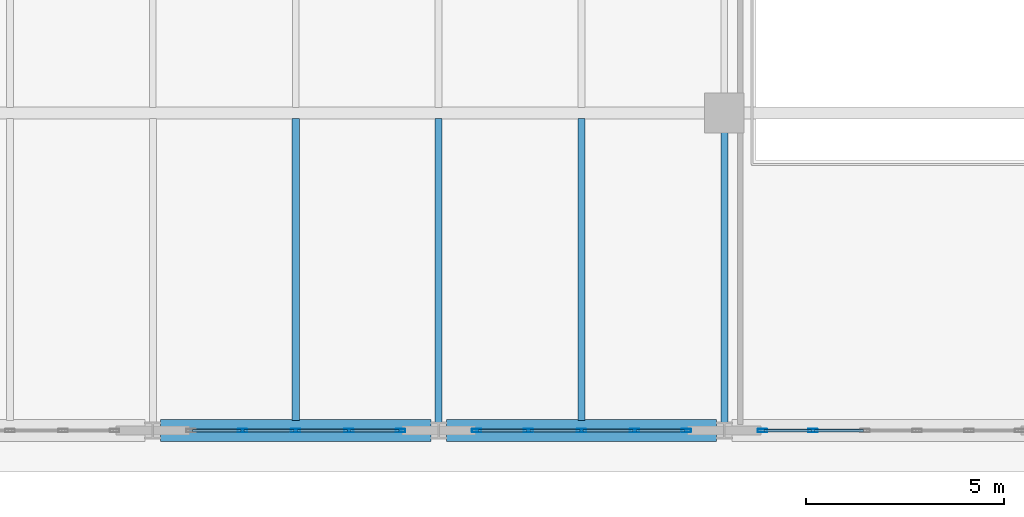
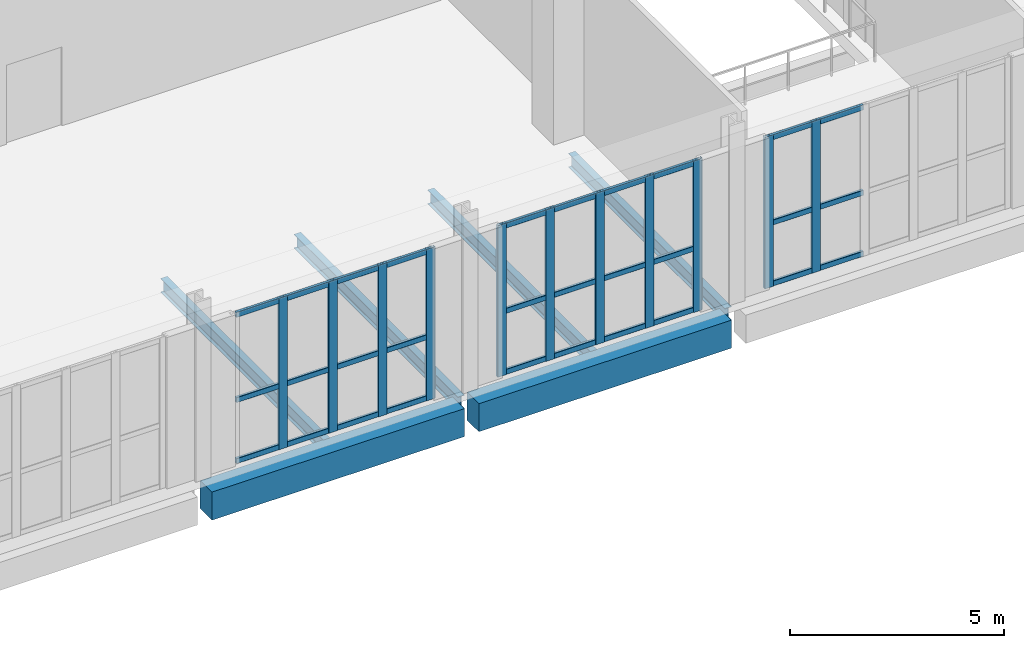
# One storey, part 4 of 26: 41 members, 6 beams, 3 elements without a shape of their own.
"""IFC4 building model written with IfcOpenShell, lengths in metres."""

from ifc_helpers import new_model, si_unit, direction, frame, origin, origin_2d, place, context, subcontext, project, spatial, rectangle, hollow_rectangle, i_section, extrude, material, layer, layer_set, material_profile, profile_set, type_object, element, aggregate, save


model = new_model("IFC4")

# Units and contexts
model_context = context("Model", 3, precision=1e-05, world=origin(), true_north=direction((0.0, 1.0)))
body_context = subcontext(model_context, "Body", "Model", "MODEL_VIEW")
ifc_project = project(units=[si_unit("LENGTHUNIT", "METRE"), si_unit("AREAUNIT", "SQUARE_METRE"), si_unit("VOLUMEUNIT", "CUBIC_METRE"), si_unit("PLANEANGLEUNIT", "RADIAN"), si_unit("MASSUNIT", "GRAM", prefix="KILO")], contexts=[model_context])

# Site, building, storey
site_placement = place(None, origin())
site = spatial("IfcSite", under=ifc_project, at=site_placement, CompositionType="ELEMENT")
building_placement = place(site_placement, origin())
building = spatial("IfcBuilding", under=site, at=building_placement, Name="Kaelvorn Grand Hotel", CompositionType="ELEMENT")
storey_placement = place(building_placement, frame((0.0, 0.0, 300.199951171875)))
storey = spatial("IfcBuildingStorey", under=building, at=storey_placement, Name="L73", CompositionType="ELEMENT", Elevation=300.199951171875)

# Beams
ifc_material_1 = material(Name="Steel S355", Category="steel")
ifc_material_profile_1 = material_profile(ifc_material_1, i_section(OverallWidth=0.179931640625, OverallDepth=0.39990234375, WebThickness=0.008544921875, FlangeThickness=0.013427734375, FilletRadius=0.02099609375, at=origin_2d()), Name="IPE 400")
ifc_profile_set_1 = profile_set([ifc_material_profile_1], Name="Steel S355")
beam_type_1 = type_object("IfcBeamType", Name="BM-J-IPE400-S355", PredefinedType="JOIST", material=ifc_profile_set_1)
beam_1_placement = place(storey_placement, frame((27.0, 7.260009765625, -0.579833984375), z_axis=(0.0, 1.0, 0.0), x_axis=(-1.0, 0.0, 0.0)))
element("IfcBeam", 1, at=beam_1_placement, inside=storey, type_object=beam_type_1, Name="L73 Composite Floor Joist JS-08", PredefinedType="JOIST", context=body_context, shape_type="SweptSolid", body=[
    extrude(i_section(OverallWidth=0.179931640625, OverallDepth=0.39990234375, WebThickness=0.008544921875, FlangeThickness=0.013427734375, FilletRadius=0.02099609375, at=origin_2d()), origin(), (0.0, 0.0, 1.0), 7.60400390625),
])
beam_2_placement = place(storey_placement, frame((30.60009765625, 7.205078125, -0.579833984375), z_axis=(0.0, 1.0, 0.0), x_axis=(-1.0, 0.0, 0.0)))
element("IfcBeam", 2, at=beam_2_placement, inside=storey, type_object=beam_type_1, Name="L73 Composite Floor Joist JS-09", PredefinedType="JOIST", context=body_context, shape_type="SweptSolid", body=[
    extrude(i_section(OverallWidth=0.179931640625, OverallDepth=0.39990234375, WebThickness=0.008544921875, FlangeThickness=0.013427734375, FilletRadius=0.02099609375, at=origin_2d()), origin(), (0.0, 0.0, 1.0), 7.658935546875),
])
beam_3_placement = place(storey_placement, frame((34.199951171875, 7.260009765625, -0.579833984375), z_axis=(0.0, 1.0, 0.0), x_axis=(-1.0, 0.0, 0.0)))
element("IfcBeam", 3, at=beam_3_placement, inside=storey, type_object=beam_type_1, Name="L73 Composite Floor Joist JS-10", PredefinedType="JOIST", context=body_context, shape_type="SweptSolid", body=[
    extrude(i_section(OverallWidth=0.179931640625, OverallDepth=0.39990234375, WebThickness=0.008544921875, FlangeThickness=0.013427734375, FilletRadius=0.02099609375, at=origin_2d()), origin(), (0.0, 0.0, 1.0), 7.60400390625),
])
beam_4_placement = place(storey_placement, frame((37.800048828125, 7.205078125, -0.579833984375), z_axis=(0.0, 1.0, 0.0), x_axis=(-1.0, 0.0, 0.0)))
element("IfcBeam", 4, at=beam_4_placement, inside=storey, type_object=beam_type_1, Name="L73 Composite Floor Joist JS-11", PredefinedType="JOIST", context=body_context, shape_type="SweptSolid", body=[
    extrude(i_section(OverallWidth=0.179931640625, OverallDepth=0.39990234375, WebThickness=0.008544921875, FlangeThickness=0.013427734375, FilletRadius=0.02099609375, at=origin_2d()), origin(), (0.0, 0.0, 1.0), 7.309814453125),
])
ifc_material_2 = material(Name="Concrete C50/60", Category="concrete")
ifc_material_profile_2 = material_profile(ifc_material_2, rectangle(XDim=0.550048828125, YDim=0.800048828125, at=origin_2d()), Name="RC SPANDREL 550x800")
ifc_profile_set_2 = profile_set([ifc_material_profile_2], Name="Concrete C50/60")
beam_type_2 = type_object("IfcBeamType", Name="BM-SP-550x800-C50", PredefinedType="SPANDREL", material=ifc_profile_set_2)
for number, where, z_axis, x_axis, name in (
    (5, (23.594970703125, 7.0, -0.780029296875), (1.0, 0.0, 0.0), (0.0, 1.0, 0.0), "L73 South Perimeter Spandrel 03"),
    (6, (30.794921875, 7.0, -0.780029296875), (1.0, 0.0, 0.0), (0.0, 1.0, 0.0), "L73 South Perimeter Spandrel 04"),
):
    element("IfcBeam", number, at=place(storey_placement, frame(where, z_axis=z_axis, x_axis=x_axis)), inside=storey, type_object=beam_type_2, Name=name, PredefinedType="SPANDREL", context=body_context, shape_type="SweptSolid", body=[
        extrude(rectangle(XDim=0.550048828125, YDim=0.800048828125, at=origin_2d()), origin(), (0.0, 0.0, 1.0), 6.81005859375),
    ])

# Curtain wall, members
ifc_material_3 = material(Name="Anodised Aluminium", Category="aluminium")
ifc_layer = layer(ifc_material_3, 0.239990234375)
ifc_layer_set = layer_set([ifc_layer], Name="Anodised Aluminium")
curtain_wall_type = type_object("IfcCurtainWallType", Name="CW-SYS5", PredefinedType="NOTDEFINED", material=ifc_layer_set)
curtain_wall_1_placement = place(storey_placement, origin())
curtain_wall_1 = element("IfcCurtainWall", 7, at=curtain_wall_1_placement, inside=storey, type_object=curtain_wall_type, Name="L73 Unitised Curtain Wall CW5 (CW-L73-S-02)", PredefinedType="NOTDEFINED")
ifc_material_profile_3 = material_profile(ifc_material_3, hollow_rectangle(XDim=0.080078125, YDim=0.239990234375, WallThickness=0.0048828125, InnerFilletRadius=0.0048828125, OuterFilletRadius=0.010009765625, at=origin_2d()), Name="ALU MULL 80x240")
ifc_profile_set_3 = profile_set([ifc_material_profile_3], Name="Anodised Aluminium")
member_type_1 = type_object("IfcMemberType", Name="CW-SYS5-MULL", PredefinedType="MULLION", material=ifc_profile_set_3)
member_1_placement = place(storey_placement, frame((25.659912109375, 7.0, 0.0), z_axis=(0.0, 0.0, 1.0), x_axis=(0.0, 1.0, 0.0)))
member_1 = element("IfcMember", 8, at=member_1_placement, type_object=member_type_1, Name="CW5 mullion 2", PredefinedType="MULLION", context=body_context, shape_type="SweptSolid", body=[
    extrude(hollow_rectangle(XDim=0.080078125, YDim=0.239990234375, WallThickness=0.0048828125, InnerFilletRadius=0.0048828125, OuterFilletRadius=0.010009765625, at=origin_2d()), origin(), (0.0, 0.0, 1.0), 4.320068359375),
])
member_2_placement = place(storey_placement, frame((27.0, 7.0, 0.0), z_axis=(0.0, 0.0, 1.0), x_axis=(0.0, 1.0, 0.0)))
member_2 = element("IfcMember", 9, at=member_2_placement, type_object=member_type_1, Name="CW5 mullion 3", PredefinedType="MULLION", context=body_context, shape_type="SweptSolid", body=[
    extrude(hollow_rectangle(XDim=0.080078125, YDim=0.239990234375, WallThickness=0.0048828125, InnerFilletRadius=0.0048828125, OuterFilletRadius=0.010009765625, at=origin_2d()), origin(), (0.0, 0.0, 1.0), 4.320068359375),
])
member_3_placement = place(storey_placement, frame((28.340087890625, 7.0, 0.0), z_axis=(0.0, 0.0, 1.0), x_axis=(0.0, 1.0, 0.0)))
member_3 = element("IfcMember", 10, at=member_3_placement, type_object=member_type_1, Name="CW5 mullion 4", PredefinedType="MULLION", context=body_context, shape_type="SweptSolid", body=[
    extrude(hollow_rectangle(XDim=0.080078125, YDim=0.239990234375, WallThickness=0.0048828125, InnerFilletRadius=0.0048828125, OuterFilletRadius=0.010009765625, at=origin_2d()), origin(), (0.0, 0.0, 1.0), 4.320068359375),
])
member_4_placement = place(storey_placement, frame((29.639892578125, 7.0, 0.0), z_axis=(0.0, 0.0, 1.0), x_axis=(0.0, 1.0, 0.0)))
member_4 = element("IfcMember", 11, at=member_4_placement, type_object=member_type_1, Name="CW5 mullion 5", PredefinedType="MULLION", context=body_context, shape_type="SweptSolid", body=[
    extrude(hollow_rectangle(XDim=0.080078125, YDim=0.239990234375, WallThickness=0.0048828125, InnerFilletRadius=0.0048828125, OuterFilletRadius=0.010009765625, at=origin_2d()), origin(), (0.0, 0.0, 1.0), 4.320068359375),
])

curtain_wall_2_placement = place(storey_placement, origin())
curtain_wall_2 = element("IfcCurtainWall", 12, at=curtain_wall_2_placement, inside=storey, type_object=curtain_wall_type, Name="L73 Unitised Curtain Wall CW5 (CW-L73-S-03)", PredefinedType="NOTDEFINED")
member_5_placement = place(storey_placement, frame((31.56005859375, 7.0, 0.0), z_axis=(0.0, 0.0, 1.0), x_axis=(0.0, 1.0, 0.0)))
member_5 = element("IfcMember", 13, at=member_5_placement, type_object=member_type_1, Name="CW5 mullion 1", PredefinedType="MULLION", context=body_context, shape_type="SweptSolid", body=[
    extrude(hollow_rectangle(XDim=0.080078125, YDim=0.239990234375, WallThickness=0.0048828125, InnerFilletRadius=0.0048828125, OuterFilletRadius=0.010009765625, at=origin_2d()), origin(), (0.0, 0.0, 1.0), 4.320068359375),
])
member_6_placement = place(storey_placement, frame((32.860107421875, 7.0, 0.0), z_axis=(0.0, 0.0, 1.0), x_axis=(0.0, 1.0, 0.0)))
member_6 = element("IfcMember", 14, at=member_6_placement, type_object=member_type_1, Name="CW5 mullion 2", PredefinedType="MULLION", context=body_context, shape_type="SweptSolid", body=[
    extrude(hollow_rectangle(XDim=0.080078125, YDim=0.239990234375, WallThickness=0.0048828125, InnerFilletRadius=0.0048828125, OuterFilletRadius=0.010009765625, at=origin_2d()), origin(), (0.0, 0.0, 1.0), 4.320068359375),
])
member_7_placement = place(storey_placement, frame((34.199951171875, 7.0, 0.0), z_axis=(0.0, 0.0, 1.0), x_axis=(0.0, 1.0, 0.0)))
member_7 = element("IfcMember", 15, at=member_7_placement, type_object=member_type_1, Name="CW5 mullion 3", PredefinedType="MULLION", context=body_context, shape_type="SweptSolid", body=[
    extrude(hollow_rectangle(XDim=0.080078125, YDim=0.239990234375, WallThickness=0.0048828125, InnerFilletRadius=0.0048828125, OuterFilletRadius=0.010009765625, at=origin_2d()), origin(), (0.0, 0.0, 1.0), 4.320068359375),
])
member_8_placement = place(storey_placement, frame((35.5400390625, 7.0, 0.0), z_axis=(0.0, 0.0, 1.0), x_axis=(0.0, 1.0, 0.0)))
member_8 = element("IfcMember", 16, at=member_8_placement, type_object=member_type_1, Name="CW5 mullion 4", PredefinedType="MULLION", context=body_context, shape_type="SweptSolid", body=[
    extrude(hollow_rectangle(XDim=0.080078125, YDim=0.239990234375, WallThickness=0.0048828125, InnerFilletRadius=0.0048828125, OuterFilletRadius=0.010009765625, at=origin_2d()), origin(), (0.0, 0.0, 1.0), 4.320068359375),
])
member_9_placement = place(storey_placement, frame((36.840087890625, 7.0, 0.0), z_axis=(0.0, 0.0, 1.0), x_axis=(0.0, 1.0, 0.0)))
member_9 = element("IfcMember", 17, at=member_9_placement, type_object=member_type_1, Name="CW5 mullion 5", PredefinedType="MULLION", context=body_context, shape_type="SweptSolid", body=[
    extrude(hollow_rectangle(XDim=0.080078125, YDim=0.239990234375, WallThickness=0.0048828125, InnerFilletRadius=0.0048828125, OuterFilletRadius=0.010009765625, at=origin_2d()), origin(), (0.0, 0.0, 1.0), 4.320068359375),
])

curtain_wall_3_placement = place(storey_placement, origin())
curtain_wall_3 = element("IfcCurtainWall", 18, at=curtain_wall_3_placement, inside=storey, type_object=curtain_wall_type, Name="L73 Unitised Curtain Wall CW5 (CW-L73-S-04)", PredefinedType="NOTDEFINED")
member_10_placement = place(storey_placement, frame((38.760009765625, 7.0, 0.0), z_axis=(0.0, 0.0, 1.0), x_axis=(0.0, 1.0, 0.0)))
member_10 = element("IfcMember", 19, at=member_10_placement, type_object=member_type_1, Name="CW5 mullion 1", PredefinedType="MULLION", context=body_context, shape_type="SweptSolid", body=[
    extrude(hollow_rectangle(XDim=0.080078125, YDim=0.239990234375, WallThickness=0.0048828125, InnerFilletRadius=0.0048828125, OuterFilletRadius=0.010009765625, at=origin_2d()), origin(), (0.0, 0.0, 1.0), 4.320068359375),
])
member_11_placement = place(storey_placement, frame((40.031982421875, 7.0, 0.0), z_axis=(0.0, 0.0, 1.0), x_axis=(0.0, 1.0, 0.0)))
member_11 = element("IfcMember", 20, at=member_11_placement, type_object=member_type_1, Name="CW5 mullion 2", PredefinedType="MULLION", context=body_context, shape_type="SweptSolid", body=[
    extrude(hollow_rectangle(XDim=0.080078125, YDim=0.239990234375, WallThickness=0.0048828125, InnerFilletRadius=0.0048828125, OuterFilletRadius=0.010009765625, at=origin_2d()), origin(), (0.0, 0.0, 1.0), 4.320068359375),
])

# Member
ifc_material_profile_4 = material_profile(ifc_material_3, hollow_rectangle(XDim=0.074951171875, YDim=0.14990234375, WallThickness=0.00390625, InnerFilletRadius=0.00390625, OuterFilletRadius=0.008056640625, at=origin_2d()), Name="ALU TRAN 75x150")
ifc_profile_set_4 = profile_set([ifc_material_profile_4], Name="Anodised Aluminium")
member_type_2 = type_object("IfcMemberType", Name="CW-SYS5-TRAN", PredefinedType="NOTDEFINED", material=ifc_profile_set_4)
member_12_placement = place(storey_placement, frame((24.39990234375, 7.0, 0.074951171875), z_axis=(1.0, 0.0, 0.0), x_axis=(0.0, 1.0, 0.0)))
member_12 = element("IfcMember", 21, at=member_12_placement, type_object=member_type_2, Name="CW5 transom 1.1", ObjectType="TRANSOM", PredefinedType="USERDEFINED", context=body_context, shape_type="SweptSolid", body=[
    extrude(hollow_rectangle(XDim=0.074951171875, YDim=0.14990234375, WallThickness=0.00390625, InnerFilletRadius=0.00390625, OuterFilletRadius=0.008056640625, at=origin_2d()), origin(), (0.0, 0.0, 1.0), 1.22021484375),
])

member_13_placement = place(storey_placement, frame((24.39990234375, 7.0, 1.814453125), z_axis=(1.0, 0.0, 0.0), x_axis=(0.0, 1.0, 0.0)))
member_13 = element("IfcMember", 22, at=member_13_placement, type_object=member_type_2, Name="CW5 transom 1.2", ObjectType="TRANSOM", PredefinedType="USERDEFINED", context=body_context, shape_type="SweptSolid", body=[
    extrude(hollow_rectangle(XDim=0.074951171875, YDim=0.14990234375, WallThickness=0.00390625, InnerFilletRadius=0.00390625, OuterFilletRadius=0.008056640625, at=origin_2d()), origin(), (0.0, 0.0, 1.0), 1.22021484375),
])

member_14_placement = place(storey_placement, frame((24.39990234375, 7.0, 4.2451171875), z_axis=(1.0, 0.0, 0.0), x_axis=(0.0, 1.0, 0.0)))
member_14 = element("IfcMember", 23, at=member_14_placement, type_object=member_type_2, Name="CW5 transom 1.3", ObjectType="TRANSOM", PredefinedType="USERDEFINED", context=body_context, shape_type="SweptSolid", body=[
    extrude(hollow_rectangle(XDim=0.074951171875, YDim=0.14990234375, WallThickness=0.00390625, InnerFilletRadius=0.00390625, OuterFilletRadius=0.008056640625, at=origin_2d()), origin(), (0.0, 0.0, 1.0), 1.22021484375),
])

member_15_placement = place(storey_placement, frame((25.699951171875, 7.0, 0.074951171875), z_axis=(1.0, 0.0, 0.0), x_axis=(0.0, 1.0, 0.0)))
member_15 = element("IfcMember", 24, at=member_15_placement, type_object=member_type_2, Name="CW5 transom 2.1", ObjectType="TRANSOM", PredefinedType="USERDEFINED", context=body_context, shape_type="SweptSolid", body=[
    extrude(hollow_rectangle(XDim=0.074951171875, YDim=0.14990234375, WallThickness=0.00390625, InnerFilletRadius=0.00390625, OuterFilletRadius=0.008056640625, at=origin_2d()), origin(), (0.0, 0.0, 1.0), 1.260009765625),
])

member_16_placement = place(storey_placement, frame((25.699951171875, 7.0, 1.814453125), z_axis=(1.0, 0.0, 0.0), x_axis=(0.0, 1.0, 0.0)))
member_16 = element("IfcMember", 25, at=member_16_placement, type_object=member_type_2, Name="CW5 transom 2.2", ObjectType="TRANSOM", PredefinedType="USERDEFINED", context=body_context, shape_type="SweptSolid", body=[
    extrude(hollow_rectangle(XDim=0.074951171875, YDim=0.14990234375, WallThickness=0.00390625, InnerFilletRadius=0.00390625, OuterFilletRadius=0.008056640625, at=origin_2d()), origin(), (0.0, 0.0, 1.0), 1.260009765625),
])

member_17_placement = place(storey_placement, frame((25.699951171875, 7.0, 4.2451171875), z_axis=(1.0, 0.0, 0.0), x_axis=(0.0, 1.0, 0.0)))
member_17 = element("IfcMember", 26, at=member_17_placement, type_object=member_type_2, Name="CW5 transom 2.3", ObjectType="TRANSOM", PredefinedType="USERDEFINED", context=body_context, shape_type="SweptSolid", body=[
    extrude(hollow_rectangle(XDim=0.074951171875, YDim=0.14990234375, WallThickness=0.00390625, InnerFilletRadius=0.00390625, OuterFilletRadius=0.008056640625, at=origin_2d()), origin(), (0.0, 0.0, 1.0), 1.260009765625),
])

member_18_placement = place(storey_placement, frame((27.0400390625, 7.0, 0.074951171875), z_axis=(1.0, 0.0, 0.0), x_axis=(0.0, 1.0, 0.0)))
member_18 = element("IfcMember", 27, at=member_18_placement, type_object=member_type_2, Name="CW5 transom 3.1", ObjectType="TRANSOM", PredefinedType="USERDEFINED", context=body_context, shape_type="SweptSolid", body=[
    extrude(hollow_rectangle(XDim=0.074951171875, YDim=0.14990234375, WallThickness=0.00390625, InnerFilletRadius=0.00390625, OuterFilletRadius=0.008056640625, at=origin_2d()), origin(), (0.0, 0.0, 1.0), 1.260009765625),
])

member_19_placement = place(storey_placement, frame((27.0400390625, 7.0, 1.814453125), z_axis=(1.0, 0.0, 0.0), x_axis=(0.0, 1.0, 0.0)))
member_19 = element("IfcMember", 28, at=member_19_placement, type_object=member_type_2, Name="CW5 transom 3.2", ObjectType="TRANSOM", PredefinedType="USERDEFINED", context=body_context, shape_type="SweptSolid", body=[
    extrude(hollow_rectangle(XDim=0.074951171875, YDim=0.14990234375, WallThickness=0.00390625, InnerFilletRadius=0.00390625, OuterFilletRadius=0.008056640625, at=origin_2d()), origin(), (0.0, 0.0, 1.0), 1.260009765625),
])

member_20_placement = place(storey_placement, frame((27.0400390625, 7.0, 4.2451171875), z_axis=(1.0, 0.0, 0.0), x_axis=(0.0, 1.0, 0.0)))
member_20 = element("IfcMember", 29, at=member_20_placement, type_object=member_type_2, Name="CW5 transom 3.3", ObjectType="TRANSOM", PredefinedType="USERDEFINED", context=body_context, shape_type="SweptSolid", body=[
    extrude(hollow_rectangle(XDim=0.074951171875, YDim=0.14990234375, WallThickness=0.00390625, InnerFilletRadius=0.00390625, OuterFilletRadius=0.008056640625, at=origin_2d()), origin(), (0.0, 0.0, 1.0), 1.260009765625),
])

member_21_placement = place(storey_placement, frame((28.3798828125, 7.0, 0.074951171875), z_axis=(1.0, 0.0, 0.0), x_axis=(0.0, 1.0, 0.0)))
member_21 = element("IfcMember", 30, at=member_21_placement, type_object=member_type_2, Name="CW5 transom 4.1", ObjectType="TRANSOM", PredefinedType="USERDEFINED", context=body_context, shape_type="SweptSolid", body=[
    extrude(hollow_rectangle(XDim=0.074951171875, YDim=0.14990234375, WallThickness=0.00390625, InnerFilletRadius=0.00390625, OuterFilletRadius=0.008056640625, at=origin_2d()), origin(), (0.0, 0.0, 1.0), 1.22021484375),
])

member_22_placement = place(storey_placement, frame((28.3798828125, 7.0, 1.814453125), z_axis=(1.0, 0.0, 0.0), x_axis=(0.0, 1.0, 0.0)))
member_22 = element("IfcMember", 31, at=member_22_placement, type_object=member_type_2, Name="CW5 transom 4.2", ObjectType="TRANSOM", PredefinedType="USERDEFINED", context=body_context, shape_type="SweptSolid", body=[
    extrude(hollow_rectangle(XDim=0.074951171875, YDim=0.14990234375, WallThickness=0.00390625, InnerFilletRadius=0.00390625, OuterFilletRadius=0.008056640625, at=origin_2d()), origin(), (0.0, 0.0, 1.0), 1.22021484375),
])

member_23_placement = place(storey_placement, frame((28.3798828125, 7.0, 4.2451171875), z_axis=(1.0, 0.0, 0.0), x_axis=(0.0, 1.0, 0.0)))
member_23 = element("IfcMember", 32, at=member_23_placement, type_object=member_type_2, Name="CW5 transom 4.3", ObjectType="TRANSOM", PredefinedType="USERDEFINED", context=body_context, shape_type="SweptSolid", body=[
    extrude(hollow_rectangle(XDim=0.074951171875, YDim=0.14990234375, WallThickness=0.00390625, InnerFilletRadius=0.00390625, OuterFilletRadius=0.008056640625, at=origin_2d()), origin(), (0.0, 0.0, 1.0), 1.22021484375),
])

aggregate(curtain_wall_1, [member_1, member_2, member_3, member_4, member_12, member_13, member_14, member_15, member_16, member_17, member_18, member_19, member_20, member_21, member_22, member_23])

member_24_placement = place(storey_placement, frame((31.60009765625, 7.0, 0.074951171875), z_axis=(1.0, 0.0, 0.0), x_axis=(0.0, 1.0, 0.0)))
member_24 = element("IfcMember", 33, at=member_24_placement, type_object=member_type_2, Name="CW5 transom 1.1", ObjectType="TRANSOM", PredefinedType="USERDEFINED", context=body_context, shape_type="SweptSolid", body=[
    extrude(hollow_rectangle(XDim=0.074951171875, YDim=0.14990234375, WallThickness=0.00390625, InnerFilletRadius=0.00390625, OuterFilletRadius=0.008056640625, at=origin_2d()), origin(), (0.0, 0.0, 1.0), 1.219970703125),
])

member_25_placement = place(storey_placement, frame((31.60009765625, 7.0, 1.814453125), z_axis=(1.0, 0.0, 0.0), x_axis=(0.0, 1.0, 0.0)))
member_25 = element("IfcMember", 34, at=member_25_placement, type_object=member_type_2, Name="CW5 transom 1.2", ObjectType="TRANSOM", PredefinedType="USERDEFINED", context=body_context, shape_type="SweptSolid", body=[
    extrude(hollow_rectangle(XDim=0.074951171875, YDim=0.14990234375, WallThickness=0.00390625, InnerFilletRadius=0.00390625, OuterFilletRadius=0.008056640625, at=origin_2d()), origin(), (0.0, 0.0, 1.0), 1.219970703125),
])

member_26_placement = place(storey_placement, frame((31.60009765625, 7.0, 4.2451171875), z_axis=(1.0, 0.0, 0.0), x_axis=(0.0, 1.0, 0.0)))
member_26 = element("IfcMember", 35, at=member_26_placement, type_object=member_type_2, Name="CW5 transom 1.3", ObjectType="TRANSOM", PredefinedType="USERDEFINED", context=body_context, shape_type="SweptSolid", body=[
    extrude(hollow_rectangle(XDim=0.074951171875, YDim=0.14990234375, WallThickness=0.00390625, InnerFilletRadius=0.00390625, OuterFilletRadius=0.008056640625, at=origin_2d()), origin(), (0.0, 0.0, 1.0), 1.219970703125),
])

member_27_placement = place(storey_placement, frame((32.89990234375, 7.0, 0.074951171875), z_axis=(1.0, 0.0, 0.0), x_axis=(0.0, 1.0, 0.0)))
member_27 = element("IfcMember", 36, at=member_27_placement, type_object=member_type_2, Name="CW5 transom 2.1", ObjectType="TRANSOM", PredefinedType="USERDEFINED", context=body_context, shape_type="SweptSolid", body=[
    extrude(hollow_rectangle(XDim=0.074951171875, YDim=0.14990234375, WallThickness=0.00390625, InnerFilletRadius=0.00390625, OuterFilletRadius=0.008056640625, at=origin_2d()), origin(), (0.0, 0.0, 1.0), 1.260009765625),
])

member_28_placement = place(storey_placement, frame((32.89990234375, 7.0, 1.814453125), z_axis=(1.0, 0.0, 0.0), x_axis=(0.0, 1.0, 0.0)))
member_28 = element("IfcMember", 37, at=member_28_placement, type_object=member_type_2, Name="CW5 transom 2.2", ObjectType="TRANSOM", PredefinedType="USERDEFINED", context=body_context, shape_type="SweptSolid", body=[
    extrude(hollow_rectangle(XDim=0.074951171875, YDim=0.14990234375, WallThickness=0.00390625, InnerFilletRadius=0.00390625, OuterFilletRadius=0.008056640625, at=origin_2d()), origin(), (0.0, 0.0, 1.0), 1.260009765625),
])

member_29_placement = place(storey_placement, frame((32.89990234375, 7.0, 4.2451171875), z_axis=(1.0, 0.0, 0.0), x_axis=(0.0, 1.0, 0.0)))
member_29 = element("IfcMember", 38, at=member_29_placement, type_object=member_type_2, Name="CW5 transom 2.3", ObjectType="TRANSOM", PredefinedType="USERDEFINED", context=body_context, shape_type="SweptSolid", body=[
    extrude(hollow_rectangle(XDim=0.074951171875, YDim=0.14990234375, WallThickness=0.00390625, InnerFilletRadius=0.00390625, OuterFilletRadius=0.008056640625, at=origin_2d()), origin(), (0.0, 0.0, 1.0), 1.260009765625),
])

member_30_placement = place(storey_placement, frame((34.239990234375, 7.0, 0.074951171875), z_axis=(1.0, 0.0, 0.0), x_axis=(0.0, 1.0, 0.0)))
member_30 = element("IfcMember", 39, at=member_30_placement, type_object=member_type_2, Name="CW5 transom 3.1", ObjectType="TRANSOM", PredefinedType="USERDEFINED", context=body_context, shape_type="SweptSolid", body=[
    extrude(hollow_rectangle(XDim=0.074951171875, YDim=0.14990234375, WallThickness=0.00390625, InnerFilletRadius=0.00390625, OuterFilletRadius=0.008056640625, at=origin_2d()), origin(), (0.0, 0.0, 1.0), 1.260009765625),
])

member_31_placement = place(storey_placement, frame((34.239990234375, 7.0, 1.814453125), z_axis=(1.0, 0.0, 0.0), x_axis=(0.0, 1.0, 0.0)))
member_31 = element("IfcMember", 40, at=member_31_placement, type_object=member_type_2, Name="CW5 transom 3.2", ObjectType="TRANSOM", PredefinedType="USERDEFINED", context=body_context, shape_type="SweptSolid", body=[
    extrude(hollow_rectangle(XDim=0.074951171875, YDim=0.14990234375, WallThickness=0.00390625, InnerFilletRadius=0.00390625, OuterFilletRadius=0.008056640625, at=origin_2d()), origin(), (0.0, 0.0, 1.0), 1.260009765625),
])

member_32_placement = place(storey_placement, frame((34.239990234375, 7.0, 4.2451171875), z_axis=(1.0, 0.0, 0.0), x_axis=(0.0, 1.0, 0.0)))
member_32 = element("IfcMember", 41, at=member_32_placement, type_object=member_type_2, Name="CW5 transom 3.3", ObjectType="TRANSOM", PredefinedType="USERDEFINED", context=body_context, shape_type="SweptSolid", body=[
    extrude(hollow_rectangle(XDim=0.074951171875, YDim=0.14990234375, WallThickness=0.00390625, InnerFilletRadius=0.00390625, OuterFilletRadius=0.008056640625, at=origin_2d()), origin(), (0.0, 0.0, 1.0), 1.260009765625),
])

member_33_placement = place(storey_placement, frame((35.580078125, 7.0, 0.074951171875), z_axis=(1.0, 0.0, 0.0), x_axis=(0.0, 1.0, 0.0)))
member_33 = element("IfcMember", 42, at=member_33_placement, type_object=member_type_2, Name="CW5 transom 4.1", ObjectType="TRANSOM", PredefinedType="USERDEFINED", context=body_context, shape_type="SweptSolid", body=[
    extrude(hollow_rectangle(XDim=0.074951171875, YDim=0.14990234375, WallThickness=0.00390625, InnerFilletRadius=0.00390625, OuterFilletRadius=0.008056640625, at=origin_2d()), origin(), (0.0, 0.0, 1.0), 1.219970703125),
])

member_34_placement = place(storey_placement, frame((35.580078125, 7.0, 1.814453125), z_axis=(1.0, 0.0, 0.0), x_axis=(0.0, 1.0, 0.0)))
member_34 = element("IfcMember", 43, at=member_34_placement, type_object=member_type_2, Name="CW5 transom 4.2", ObjectType="TRANSOM", PredefinedType="USERDEFINED", context=body_context, shape_type="SweptSolid", body=[
    extrude(hollow_rectangle(XDim=0.074951171875, YDim=0.14990234375, WallThickness=0.00390625, InnerFilletRadius=0.00390625, OuterFilletRadius=0.008056640625, at=origin_2d()), origin(), (0.0, 0.0, 1.0), 1.219970703125),
])

member_35_placement = place(storey_placement, frame((35.580078125, 7.0, 4.2451171875), z_axis=(1.0, 0.0, 0.0), x_axis=(0.0, 1.0, 0.0)))
member_35 = element("IfcMember", 44, at=member_35_placement, type_object=member_type_2, Name="CW5 transom 4.3", ObjectType="TRANSOM", PredefinedType="USERDEFINED", context=body_context, shape_type="SweptSolid", body=[
    extrude(hollow_rectangle(XDim=0.074951171875, YDim=0.14990234375, WallThickness=0.00390625, InnerFilletRadius=0.00390625, OuterFilletRadius=0.008056640625, at=origin_2d()), origin(), (0.0, 0.0, 1.0), 1.219970703125),
])

aggregate(curtain_wall_2, [member_5, member_6, member_7, member_8, member_9, member_24, member_25, member_26, member_27, member_28, member_29, member_30, member_31, member_32, member_33, member_34, member_35])

member_36_placement = place(storey_placement, frame((38.800048828125, 7.0, 0.074951171875), z_axis=(1.0, 0.0, 0.0), x_axis=(0.0, 1.0, 0.0)))
member_36 = element("IfcMember", 45, at=member_36_placement, type_object=member_type_2, Name="CW5 transom 1.1", ObjectType="TRANSOM", PredefinedType="USERDEFINED", context=body_context, shape_type="SweptSolid", body=[
    extrude(hollow_rectangle(XDim=0.074951171875, YDim=0.14990234375, WallThickness=0.00390625, InnerFilletRadius=0.00390625, OuterFilletRadius=0.008056640625, at=origin_2d()), origin(), (0.0, 0.0, 1.0), 1.19189453125),
])

member_37_placement = place(storey_placement, frame((38.800048828125, 7.0, 1.814453125), z_axis=(1.0, 0.0, 0.0), x_axis=(0.0, 1.0, 0.0)))
member_37 = element("IfcMember", 46, at=member_37_placement, type_object=member_type_2, Name="CW5 transom 1.2", ObjectType="TRANSOM", PredefinedType="USERDEFINED", context=body_context, shape_type="SweptSolid", body=[
    extrude(hollow_rectangle(XDim=0.074951171875, YDim=0.14990234375, WallThickness=0.00390625, InnerFilletRadius=0.00390625, OuterFilletRadius=0.008056640625, at=origin_2d()), origin(), (0.0, 0.0, 1.0), 1.19189453125),
])

member_38_placement = place(storey_placement, frame((38.800048828125, 7.0, 4.2451171875), z_axis=(1.0, 0.0, 0.0), x_axis=(0.0, 1.0, 0.0)))
member_38 = element("IfcMember", 47, at=member_38_placement, type_object=member_type_2, Name="CW5 transom 1.3", ObjectType="TRANSOM", PredefinedType="USERDEFINED", context=body_context, shape_type="SweptSolid", body=[
    extrude(hollow_rectangle(XDim=0.074951171875, YDim=0.14990234375, WallThickness=0.00390625, InnerFilletRadius=0.00390625, OuterFilletRadius=0.008056640625, at=origin_2d()), origin(), (0.0, 0.0, 1.0), 1.19189453125),
])

member_39_placement = place(storey_placement, frame((40.072021484375, 7.0, 0.074951171875), z_axis=(1.0, 0.0, 0.0), x_axis=(0.0, 1.0, 0.0)))
member_39 = element("IfcMember", 48, at=member_39_placement, type_object=member_type_2, Name="CW5 transom 2.1", ObjectType="TRANSOM", PredefinedType="USERDEFINED", context=body_context, shape_type="SweptSolid", body=[
    extrude(hollow_rectangle(XDim=0.074951171875, YDim=0.14990234375, WallThickness=0.00390625, InnerFilletRadius=0.00390625, OuterFilletRadius=0.008056640625, at=origin_2d()), origin(), (0.0, 0.0, 1.0), 1.23193359375),
])

member_40_placement = place(storey_placement, frame((40.072021484375, 7.0, 1.814453125), z_axis=(1.0, 0.0, 0.0), x_axis=(0.0, 1.0, 0.0)))
member_40 = element("IfcMember", 49, at=member_40_placement, type_object=member_type_2, Name="CW5 transom 2.2", ObjectType="TRANSOM", PredefinedType="USERDEFINED", context=body_context, shape_type="SweptSolid", body=[
    extrude(hollow_rectangle(XDim=0.074951171875, YDim=0.14990234375, WallThickness=0.00390625, InnerFilletRadius=0.00390625, OuterFilletRadius=0.008056640625, at=origin_2d()), origin(), (0.0, 0.0, 1.0), 1.23193359375),
])

member_41_placement = place(storey_placement, frame((40.072021484375, 7.0, 4.2451171875), z_axis=(1.0, 0.0, 0.0), x_axis=(0.0, 1.0, 0.0)))
member_41 = element("IfcMember", 50, at=member_41_placement, type_object=member_type_2, Name="CW5 transom 2.3", ObjectType="TRANSOM", PredefinedType="USERDEFINED", context=body_context, shape_type="SweptSolid", body=[
    extrude(hollow_rectangle(XDim=0.074951171875, YDim=0.14990234375, WallThickness=0.00390625, InnerFilletRadius=0.00390625, OuterFilletRadius=0.008056640625, at=origin_2d()), origin(), (0.0, 0.0, 1.0), 1.23193359375),
])

aggregate(curtain_wall_3, [member_10, member_11, member_36, member_37, member_38, member_39, member_40, member_41])

save(model, "model.ifc")
